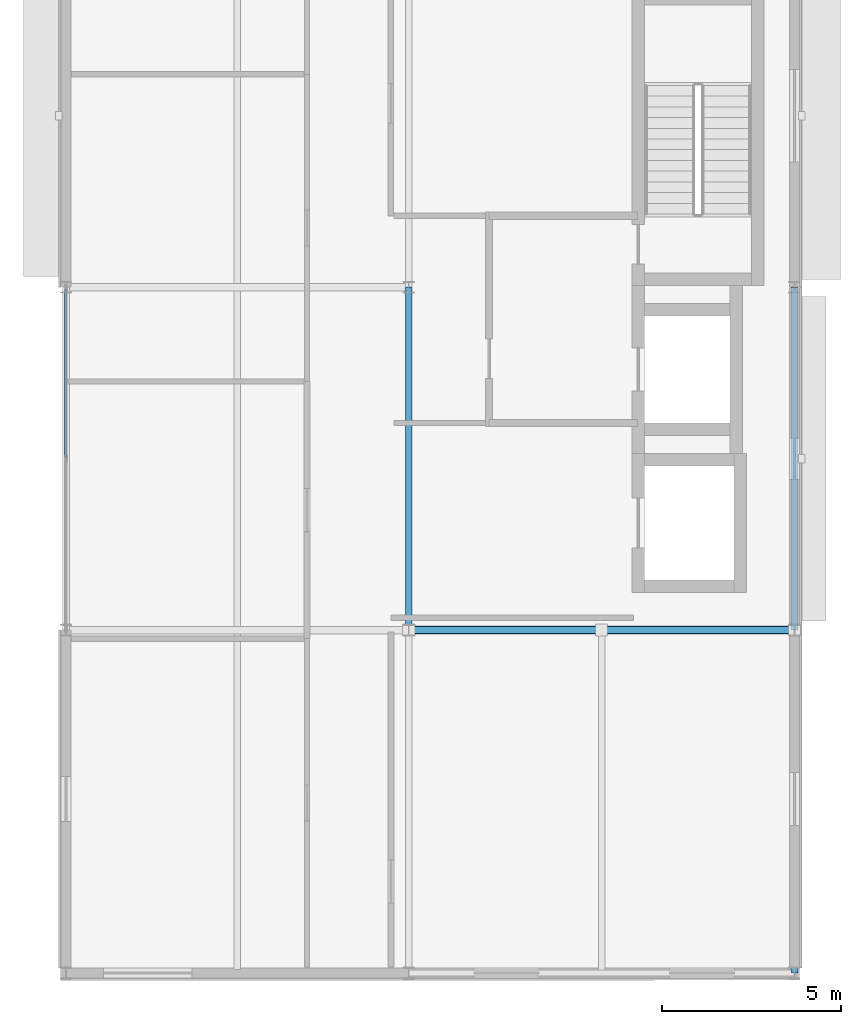
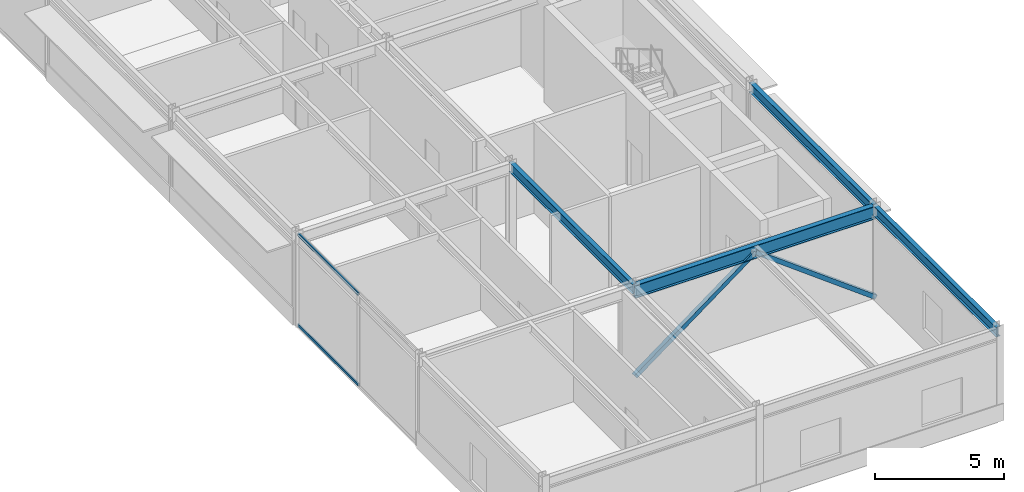
# One storey, part 5 of 18: 4 beams, 4 members, 1 element without a shape of its own.
"""IFC4 building model written with IfcOpenShell, lengths in metres."""

from ifc_helpers import new_model, si_unit, direction, frame, origin, origin_2d, place, context, subcontext, project, spatial, hollow_rectangle, i_section, extrude, material, material_profile, profile_set, type_object, element, aggregate, save


model = new_model("IFC4")

# Units and contexts
model_context = context("Model", 3, precision=1e-05, world=origin(), true_north=direction((0.0, 1.0)))
body_context = subcontext(model_context, "Body", "Model", "MODEL_VIEW")
ifc_project = project(units=[si_unit("LENGTHUNIT", "METRE"), si_unit("AREAUNIT", "SQUARE_METRE"), si_unit("VOLUMEUNIT", "CUBIC_METRE"), si_unit("PLANEANGLEUNIT", "RADIAN"), si_unit("MASSUNIT", "GRAM", prefix="KILO")], contexts=[model_context])

# Site, building, storey
site_placement = place(None, origin())
site = spatial("IfcSite", under=ifc_project, at=site_placement, CompositionType="ELEMENT")
building_placement = place(site_placement, origin())
building = spatial("IfcBuilding", under=site, at=building_placement, Name="Almandine Court Research Institute", CompositionType="ELEMENT")
storey_placement = place(building_placement, frame((0.0, 0.0, 37.10009765625)))
storey = spatial("IfcBuildingStorey", under=building, at=storey_placement, Name="L08", CompositionType="ELEMENT", Elevation=37.10009765625)

# Beams
ifc_material_1 = material(Name="Steel ASTM A992 Grade 50", Category="steel")
ifc_material_profile_1 = material_profile(ifc_material_1, i_section(OverallWidth=0.18994140625, OverallDepth=0.45703125, WebThickness=0.009033203125, FlangeThickness=0.014892578125, at=origin_2d()), Name="W460x74")
ifc_profile_set_1 = profile_set([ifc_material_profile_1], Name="Steel ASTM A992 Grade 50")
beam_type_1 = type_object("IfcBeamType", Name="Beam-B-01", PredefinedType="BEAM", material=ifc_profile_set_1)
beam_1_placement = place(storey_placement, frame((163.199951171875, 15.60009765625, 4.156982421875), z_axis=(0.0, 1.0, 0.0), x_axis=(-1.0, 0.0, 0.0)))
element("IfcBeam", 1, at=beam_1_placement, inside=storey, type_object=beam_type_1, Name="L08 V4 Primary Y Girder", PredefinedType="BEAM", context=body_context, shape_type="SweptSolid", body=[
    extrude(i_section(OverallWidth=0.18994140625, OverallDepth=0.45703125, WebThickness=0.009033203125, FlangeThickness=0.014892578125, at=origin_2d()), origin(), (0.0, 0.0, 1.0), 9.599853515625),
])
ifc_material_profile_2 = material_profile(ifc_material_1, i_section(OverallWidth=0.22998046875, OverallDepth=0.616943359375, WebThickness=0.012939453125, FlangeThickness=0.02197265625, at=origin_2d()), Name="W610x140")
ifc_profile_set_2 = profile_set([ifc_material_profile_2], Name="Steel ASTM A992 Grade 50")
beam_type_2 = type_object("IfcBeamType", Name="Beam-G-02", PredefinedType="BEAM", material=ifc_profile_set_2)
beam_2_placement = place(storey_placement, frame((163.199951171875, 15.60009765625, 4.075927734375), z_axis=(1.0, 0.0, 0.0), x_axis=(0.0, 1.0, 0.0)))
element("IfcBeam", 2, at=beam_2_placement, inside=storey, type_object=beam_type_2, Name="L08 V4 Primary X Girder", PredefinedType="BEAM", context=body_context, shape_type="SweptSolid", body=[
    extrude(i_section(OverallWidth=0.22998046875, OverallDepth=0.616943359375, WebThickness=0.012939453125, FlangeThickness=0.02197265625, at=origin_2d()), origin(), (0.0, 0.0, 1.0), 10.800048828125),
])
ifc_material_profile_3 = material_profile(ifc_material_1, i_section(OverallWidth=0.193115234375, OverallDepth=0.466064453125, WebThickness=0.010986328125, FlangeThickness=0.01904296875, at=origin_2d()), Name="W460x97")
ifc_profile_set_3 = profile_set([ifc_material_profile_3], Name="Steel ASTM A992 Grade 50")
beam_type_3 = type_object("IfcBeamType", Name="Beam-G-06-E", PredefinedType="SPANDREL", material=ifc_profile_set_3)
beam_3_placement = place(storey_placement, frame((174.0, 6.0, 4.15185546875), z_axis=(0.0, 1.0, 0.0), x_axis=(-1.0, 0.0, 0.0)))
element("IfcBeam", 3, at=beam_3_placement, inside=storey, type_object=beam_type_3, Name="L08 V4 Primary Y Girder", PredefinedType="SPANDREL", context=body_context, shape_type="SweptSolid", body=[
    extrude(i_section(OverallWidth=0.193115234375, OverallDepth=0.466064453125, WebThickness=0.010986328125, FlangeThickness=0.01904296875, at=origin_2d()), origin(), (0.0, 0.0, 1.0), 9.60009765625),
])
beam_4_placement = place(storey_placement, frame((174.0, 15.60009765625, 4.15185546875), z_axis=(0.0, 1.0, 0.0), x_axis=(-1.0, 0.0, 0.0)))
element("IfcBeam", 4, at=beam_4_placement, inside=storey, type_object=beam_type_3, Name="L08 V4 Primary Y Girder", PredefinedType="SPANDREL", context=body_context, shape_type="SweptSolid", body=[
    extrude(i_section(OverallWidth=0.193115234375, OverallDepth=0.466064453125, WebThickness=0.010986328125, FlangeThickness=0.01904296875, at=origin_2d()), origin(), (0.0, 0.0, 1.0), 9.599853515625),
])

# Curtain wall, members
ifc_material_2 = material(Name="Unitised Curtain Wall Framing and Solar Glazing", Category="glass")
curtain_wall_type = type_object("IfcCurtainWallType", Name="CW-CWJ-02", PredefinedType="USERDEFINED", material=ifc_material_2)
curtain_wall_placement = place(storey_placement, origin())
curtain_wall = element("IfcCurtainWall", 5, at=curtain_wall_placement, inside=storey, type_object=curtain_wall_type, Name="L08 Wet Lab West Courtyard Jali Curtain Wall 2", ObjectType="SOLAR JALI SCREEN", PredefinedType="USERDEFINED")
ifc_material_3 = material(Name="Anodised Aluminium AW-6063-T6", Category="aluminium")
ifc_material_profile_4 = material_profile(ifc_material_3, hollow_rectangle(XDim=0.06494140625, YDim=0.1298828125, WallThickness=0.00390625, at=origin_2d()), Name="ALU RHS 65x130x4")
ifc_profile_set_4 = profile_set([ifc_material_profile_4], Name="Anodised Aluminium AW-6063-T6")
member_type_1 = type_object("IfcMemberType", Name="CWTrn-65x130", PredefinedType="NOTDEFINED", material=ifc_profile_set_4)
member_1_placement = place(storey_placement, frame((153.60009765625, 20.4326171875, 0.032470703125), z_axis=(0.0, 1.0, 0.0), x_axis=(-1.0, 0.0, 0.0)))
member_1 = element("IfcMember", 6, at=member_1_placement, type_object=member_type_1, Name="CWJ-02 transom 2.1", ObjectType="TRANSOM", PredefinedType="USERDEFINED", context=body_context, shape_type="SweptSolid", body=[
    extrude(hollow_rectangle(XDim=0.06494140625, YDim=0.1298828125, WallThickness=0.00390625, at=origin_2d()), origin(), (0.0, 0.0, 1.0), 4.698486328125),
])
member_2_placement = place(storey_placement, frame((153.60009765625, 20.4326171875, 4.33740234375), z_axis=(0.0, 1.0, 0.0), x_axis=(-1.0, 0.0, 0.0)))
member_2 = element("IfcMember", 7, at=member_2_placement, type_object=member_type_1, Name="CWJ-02 transom 2.2", ObjectType="TRANSOM", PredefinedType="USERDEFINED", context=body_context, shape_type="SweptSolid", body=[
    extrude(hollow_rectangle(XDim=0.06494140625, YDim=0.1298828125, WallThickness=0.00390625, at=origin_2d()), origin(), (0.0, 0.0, 1.0), 4.698486328125),
])
aggregate(curtain_wall, [member_1, member_2])

# Members
ifc_material_4 = material(Name="Steel ASTM A500 Grade C", Category="steel")
ifc_material_profile_5 = material_profile(ifc_material_4, hollow_rectangle(XDim=0.199951171875, YDim=0.199951171875, WallThickness=0.008056640625, at=origin_2d()), Name="HSS 200x200x8")
ifc_profile_set_5 = profile_set([ifc_material_profile_5], Name="Steel ASTM A500 Grade C")
member_type_2 = type_object("IfcMemberType", Name="Mem-BF-BR2", PredefinedType="BRACE", material=ifc_profile_set_5)
member_3_placement = place(storey_placement, frame((163.199951171875, 15.60009765625, 0.02001953125), z_axis=(0.801445555519, 0.0, 0.598067739925), x_axis=(0.0, 1.0, 0.0)))
element("IfcMember", 8, at=member_3_placement, inside=storey, type_object=member_type_2, Name="L08 Seismic Chevron Brace V4-BF1 Left", PredefinedType="BRACE", context=body_context, shape_type="SweptSolid", body=[
    extrude(hollow_rectangle(XDim=0.199951171875, YDim=0.199951171875, WallThickness=0.008056640625, at=origin_2d()), origin(), (0.0, 0.0, 1.0), 6.738037109375),
])
member_4_placement = place(storey_placement, frame((174.0, 15.60009765625, 0.02001953125), z_axis=(-0.801432594827, 0.0, 0.598085107614), x_axis=(0.0, -1.0, 0.0)))
element("IfcMember", 9, at=member_4_placement, inside=storey, type_object=member_type_2, Name="L08 Seismic Chevron Brace V4-BF1 Right", PredefinedType="BRACE", context=body_context, shape_type="SweptSolid", body=[
    extrude(hollow_rectangle(XDim=0.199951171875, YDim=0.199951171875, WallThickness=0.008056640625, at=origin_2d()), origin(), (0.0, 0.0, 1.0), 6.73779296875),
])

save(model, "model.ifc")
